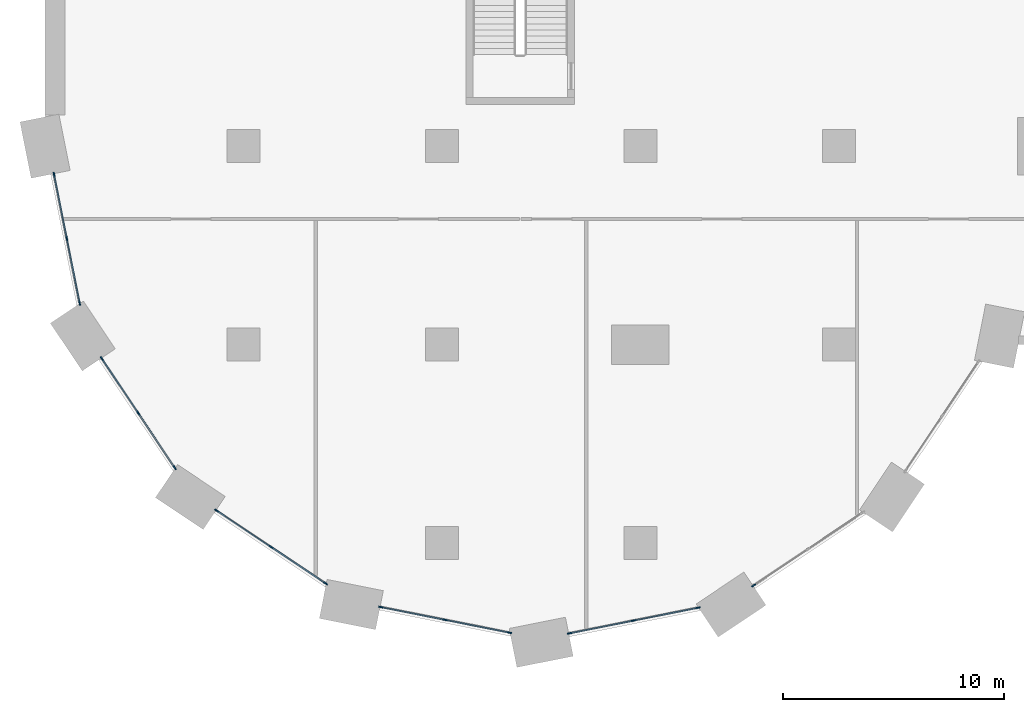
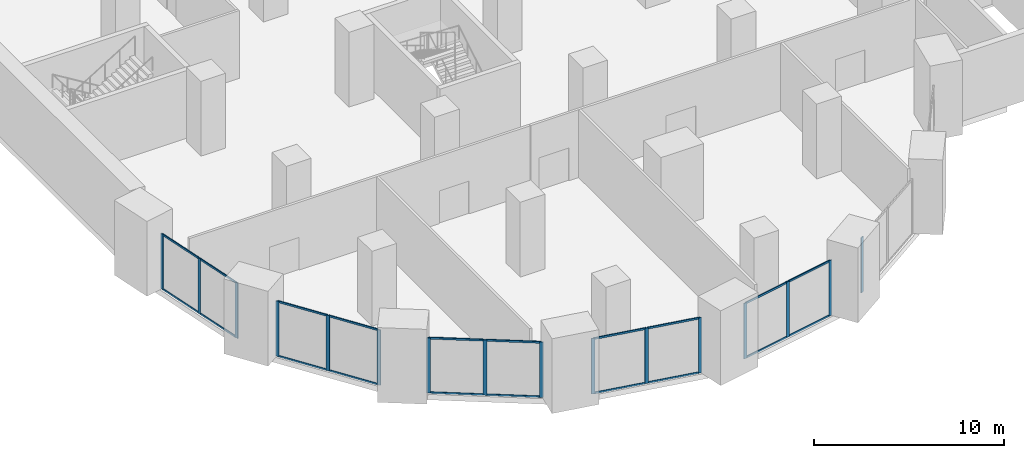
# One storey, part 2 of 32: 36 members, 6 elements without a shape of their own.
"""IFC4 building model written with IfcOpenShell, lengths in metres."""

import ifcopenshell
import ifcopenshell.guid

model = None  # the IFC model being written
_history = None  # IfcOwnerHistory: only IFC2X3 demands one
_inside = {}  # id of a spatial element -> (the spatial element, [elements in it])
_under = {}  # id of a project, library or spatial element -> (it, [spatial elements below it])
_declared = {}  # id of a project -> (the project, [libraries it declares])
_typed = {}  # id of a type object -> (the type object, [elements of that type])
_made_of = {}  # id of a material, layer set ... -> (it, [elements and type objects made of it])


def new_model(schema):
    """Start an empty IFC model of exactly this schema.

    Asked for "IFC4X3", IfcOpenShell would pick the latest addendum, in which some entities
    have other attributes; the version numbers below select the first issue.
    IFC2X3 requires an IfcOwnerHistory on every rooted entity: one is made here for all.
    """
    global model, _history
    if schema == "IFC4X3":
        model = ifcopenshell.file(schema_version=(4, 3, 0, 0))
    else:
        model = ifcopenshell.file(schema=schema)
    _inside.clear()
    _under.clear()
    _declared.clear()
    _typed.clear()
    _made_of.clear()
    _history = None
    if model.schema == "IFC2X3":
        org = make("IfcOrganization", Name="unknown")
        user = make(
            "IfcPersonAndOrganization",
            ThePerson=make("IfcPerson", FamilyName="unknown"),
            TheOrganization=org,
        )
        app = make(
            "IfcApplication",
            ApplicationDeveloper=org,
            Version="unknown",
            ApplicationFullName="unknown",
            ApplicationIdentifier="unknown",
        )
        _history = make(
            "IfcOwnerHistory",
            OwningUser=user,
            OwningApplication=app,
            ChangeAction="ADDED",
            CreationDate=0,
        )
    return model


def make(cls, **values):
    """One entity of the class cls with the attributes given. An attribute that is None is left unset."""
    return model.create_entity(
        cls, **{name: value for name, value in values.items() if value is not None}
    )


def rooted(cls, **values):
    """An entity with a GlobalId (a new one), such as an element, a storey or a relation."""
    return make(cls, GlobalId=ifcopenshell.guid.new(), OwnerHistory=_history, **values)


def si_unit(unit_type, name, prefix=None):
    """IfcSIUnit, for example si_unit("LENGTHUNIT", "METRE", prefix="MILLI")."""
    return make("IfcSIUnit", UnitType=unit_type, Prefix=prefix, Name=name)


def assignment(units):
    """IfcUnitAssignment: the units of a project."""
    return None if units is None else make("IfcUnitAssignment", Units=units)


def point(xyz):
    """IfcCartesianPoint."""
    return None if xyz is None else make("IfcCartesianPoint", Coordinates=xyz)


def direction(xyz):
    """IfcDirection."""
    return None if xyz is None else make("IfcDirection", DirectionRatios=xyz)


def frame(location, z_axis=None, x_axis=None):
    """IfcAxis2Placement3D, a coordinate frame: its origin and axes. An axis left out is left unset."""
    return make(
        "IfcAxis2Placement3D",
        Location=point(location),
        Axis=direction(z_axis),
        RefDirection=direction(x_axis),
    )


def frame_2d(location, x_axis=None):
    """IfcAxis2Placement2D, a coordinate frame in the plane: its origin and x axis."""
    return make(
        "IfcAxis2Placement2D", Location=point(location), RefDirection=direction(x_axis)
    )


def origin():
    """The frame at (0, 0, 0) with its axes left unset."""
    return frame((0.0, 0.0, 0.0))


def origin_2d():
    """The frame at (0, 0) in the plane with its x axis left unset."""
    return frame_2d((0.0, 0.0))


def place(relative_to, where):
    """IfcLocalPlacement: puts the frame where relative to a parent placement (None: the world)."""
    return make(
        "IfcLocalPlacement", PlacementRelTo=relative_to, RelativePlacement=where
    )


def context(
    kind, dimensions, precision=None, world=None, true_north=None, identifier=None
):
    """IfcGeometricRepresentationContext, for example the 3D "Model" context."""
    return make(
        "IfcGeometricRepresentationContext",
        ContextIdentifier=identifier,
        ContextType=kind,
        CoordinateSpaceDimension=dimensions,
        Precision=precision,
        WorldCoordinateSystem=world,
        TrueNorth=true_north,
    )


def subcontext(parent, identifier, kind, view, scale=None):
    """IfcGeometricRepresentationSubContext, for example "Body" below "Model"."""
    return make(
        "IfcGeometricRepresentationSubContext",
        ContextIdentifier=identifier,
        ContextType=kind,
        ParentContext=parent,
        TargetScale=scale,
        TargetView=view,
    )


def project(units=None, contexts=None):
    """IfcProject with its units and contexts."""
    return rooted(
        "IfcProject",
        Name="project",
        RepresentationContexts=contexts,
        UnitsInContext=assignment(units),
    )


def spatial(cls, under=None, at=None, **own):
    """A site, building, storey or space (cls), placed at a placement, below another one or the project."""
    s = rooted(cls, ObjectPlacement=at, **own)
    if under is not None:
        _under.setdefault(under.id(), (under, []))[1].append(s)
    return s


def profile(cls, at=None, kind="AREA", **sizes):
    """A parametric profile (cls). Its sizes go by their IFC names, for example OverallWidth=200.0."""
    return make(cls, ProfileType=kind, Position=at, **sizes)


def rectangle(**sizes):
    """IfcRectangleProfileDef."""
    return profile("IfcRectangleProfileDef", **sizes)


def extrude(swept, where, along, depth):
    """IfcExtrudedAreaSolid: the profile swept, set in the frame where, extruded along a direction by depth."""
    return make(
        "IfcExtrudedAreaSolid",
        SweptArea=swept,
        Position=where,
        ExtrudedDirection=direction(along),
        Depth=depth,
    )


def shape(context_of_items, identifier, shape_type, items):
    """IfcShapeRepresentation: the items that make up one representation, for example the "Body"."""
    return make(
        "IfcShapeRepresentation",
        ContextOfItems=context_of_items,
        RepresentationIdentifier=identifier,
        RepresentationType=shape_type,
        Items=items,
    )


def material(Name=None, Category=None):
    """IfcMaterial."""
    return make("IfcMaterial", Name=Name, Category=Category)


def material_profile(
    of_material, cross_section, Name=None, Category=None, Priority=None
):
    """IfcMaterialProfile: a cross section and its material."""
    return make(
        "IfcMaterialProfile",
        Name=Name,
        Material=of_material,
        Profile=cross_section,
        Priority=Priority,
        Category=Category,
    )


def profile_set(profiles, Name=None, composite=None):
    """IfcMaterialProfileSet."""
    return make(
        "IfcMaterialProfileSet",
        Name=Name,
        MaterialProfiles=profiles,
        CompositeProfile=composite,
    )


def made_of(thing, what):
    """Note that an element or type object is made of a material, layer set ...; save() writes the relation."""
    if what is not None:
        _made_of.setdefault(what.id(), (what, []))[1].append(thing)
    return thing


def type_object(cls, material=None, **own):
    """A type object (cls), such as IfcWallType, which elements share."""
    return made_of(rooted(cls, **own), material)


def element(
    cls,
    number,
    at=None,
    inside=None,
    cuts=None,
    type_object=None,
    material=None,
    context=None,
    identifier="Body",
    shape_type=None,
    held_by="IfcProductDefinitionShape",
    body=None,
    shapes=None,
    **own,
):
    """One element of the class cls, such as IfcWall. Its Tag is "e" and its number.

    at: its placement. inside: the storey or other place that contains it. cuts: it is an
    opening in that element (IfcRelVoidsElement). A single representation is given by context,
    identifier, shape_type and body (its items); several are given by shapes. held_by: the class
    of the entity that holds the representations. save() writes the other relations.
    """
    e = rooted(cls, Tag="e%d" % number, ObjectPlacement=at, **own)
    if body is not None:
        shapes = [shape(context, identifier, shape_type, body)]
    if shapes is not None:
        e.Representation = make(held_by, Representations=shapes)
    if inside is not None:
        _inside.setdefault(inside.id(), (inside, []))[1].append(e)
    if cuts is not None:
        rooted(
            "IfcRelVoidsElement", RelatingBuildingElement=cuts, RelatedOpeningElement=e
        )
    if type_object is not None:
        _typed.setdefault(type_object.id(), (type_object, []))[1].append(e)
    return made_of(e, material)


def aggregate(whole, parts):
    """IfcRelAggregates: a whole, such as a stair, and the parts it consists of."""
    return rooted("IfcRelAggregates", RelatingObject=whole, RelatedObjects=parts)


def save(model, path):
    """Write the relations noted so far, then the file.

    IfcRelAggregates (storeys below a building ...), IfcRelContainedInSpatialStructure (elements
    in a storey), IfcRelDefinesByType, IfcRelAssociatesMaterial and IfcRelDeclares: one each for
    every whole, place, type object, material and project.
    """
    for whole, parts in _under.values():
        aggregate(whole, parts)
    for where, things in _inside.values():
        rooted(
            "IfcRelContainedInSpatialStructure",
            RelatedElements=things,
            RelatingStructure=where,
        )
    for kind, things in _typed.values():
        rooted("IfcRelDefinesByType", RelatedObjects=things, RelatingType=kind)
    for what, things in _made_of.values():
        rooted("IfcRelAssociatesMaterial", RelatedObjects=things, RelatingMaterial=what)
    for by, libraries in _declared.values():
        rooted("IfcRelDeclares", RelatingContext=by, RelatedDefinitions=libraries)
    model.write(path)


model = new_model("IFC4")

# Units and contexts
model_context = context("Model", 3, precision=1e-05, world=origin(), true_north=direction((0.0, 1.0)))
body_context = subcontext(model_context, "Body", "Model", "MODEL_VIEW")
ifc_project = project(units=[si_unit("LENGTHUNIT", "METRE"), si_unit("AREAUNIT", "SQUARE_METRE"), si_unit("VOLUMEUNIT", "CUBIC_METRE"), si_unit("PLANEANGLEUNIT", "RADIAN"), si_unit("MASSUNIT", "GRAM", prefix="KILO")], contexts=[model_context])

# Site, building, storey
site_placement = place(None, origin())
site = spatial("IfcSite", under=ifc_project, at=site_placement, CompositionType="ELEMENT")
building_placement = place(site_placement, origin())
building = spatial("IfcBuilding", under=site, at=building_placement, Name="Hunhe Ridgeline Campus", CompositionType="ELEMENT")
storey_placement = place(building_placement, frame((0.0, 0.0, 26.39990234375)))
storey = spatial("IfcBuildingStorey", under=building, at=storey_placement, Name="L05", CompositionType="ELEMENT", Elevation=26.39990234375)

# Curtain wall, members
ifc_material_1 = material(Name="Aluminium and glass", Category="aluminium")
curtain_wall_type = type_object("IfcCurtainWallType", Name="Podium curtain wall CW-2", PredefinedType="NOTDEFINED", material=ifc_material_1)
curtain_wall_1_placement = place(storey_placement, origin())
curtain_wall_1 = element("IfcCurtainWall", 1, at=curtain_wall_1_placement, inside=storey, type_object=curtain_wall_type, Name="L05 podium curtain wall 9", PredefinedType="NOTDEFINED")
ifc_material_2 = material(Name="Aluminium", Category="aluminium")
ifc_material_profile_1 = material_profile(ifc_material_2, rectangle(XDim=0.06005859375, YDim=0.199951171875, at=origin_2d()))
ifc_profile_set_1 = profile_set([ifc_material_profile_1], Name="Aluminium")
member_type_1 = type_object("IfcMemberType", Name="CW-2 mullion 60x200", PredefinedType="MULLION", material=ifc_profile_set_1)
member_1_placement = place(storey_placement, frame((0.406494140625, 25.724853515625, 0.0), z_axis=(0.0, 0.0, 1.0), x_axis=(0.98078366193, 0.195098458454, 0.0)))
member_1 = element("IfcMember", 2, at=member_1_placement, type_object=member_type_1, Name="CW2 mullion 1", PredefinedType="MULLION", context=body_context, shape_type="SweptSolid", body=[
    extrude(rectangle(XDim=0.06005859375, YDim=0.199951171875, at=origin_2d()), origin(), (0.0, 0.0, 1.0), 3.550048828125),
])
member_2_placement = place(storey_placement, frame((0.987060546875, 22.80712890625, 0.0), z_axis=(0.0, 0.0, 1.0), x_axis=(0.98078366193, 0.195098458454, 0.0)))
member_2 = element("IfcMember", 3, at=member_2_placement, type_object=member_type_1, Name="CW2 mullion 2", PredefinedType="MULLION", context=body_context, shape_type="SweptSolid", body=[
    extrude(rectangle(XDim=0.06005859375, YDim=0.199951171875, at=origin_2d()), origin(), (0.0, 0.0, 1.0), 3.550048828125),
])
member_3_placement = place(storey_placement, frame((1.5673828125, 19.889404296875, 0.0), z_axis=(0.0, 0.0, 1.0), x_axis=(0.98078366193, 0.195098458454, 0.0)))
member_3 = element("IfcMember", 4, at=member_3_placement, type_object=member_type_1, Name="CW2 mullion 3", PredefinedType="MULLION", context=body_context, shape_type="SweptSolid", body=[
    extrude(rectangle(XDim=0.06005859375, YDim=0.199951171875, at=origin_2d()), origin(), (0.0, 0.0, 1.0), 3.550048828125),
])

curtain_wall_2_placement = place(storey_placement, origin())
curtain_wall_2 = element("IfcCurtainWall", 5, at=curtain_wall_2_placement, inside=storey, type_object=curtain_wall_type, Name="L05 podium curtain wall 10", PredefinedType="NOTDEFINED")
member_4_placement = place(storey_placement, frame((2.576416015625, 17.366943359375, 0.0), z_axis=(0.0, 0.0, 1.0), x_axis=(0.831463604177, 0.555579224709, 0.0)))
member_4 = element("IfcMember", 6, at=member_4_placement, type_object=member_type_1, Name="CW2 mullion 1", PredefinedType="MULLION", context=body_context, shape_type="SweptSolid", body=[
    extrude(rectangle(XDim=0.06005859375, YDim=0.199951171875, at=origin_2d()), origin(), (0.0, 0.0, 1.0), 3.550048828125),
])
member_5_placement = place(storey_placement, frame((4.229248046875, 14.8935546875, 0.0), z_axis=(0.0, 0.0, 1.0), x_axis=(0.831463604177, 0.555579224709, 0.0)))
member_5 = element("IfcMember", 7, at=member_5_placement, type_object=member_type_1, Name="CW2 mullion 2", PredefinedType="MULLION", context=body_context, shape_type="SweptSolid", body=[
    extrude(rectangle(XDim=0.06005859375, YDim=0.199951171875, at=origin_2d()), origin(), (0.0, 0.0, 1.0), 3.550048828125),
])
member_6_placement = place(storey_placement, frame((5.8818359375, 12.419921875, 0.0), z_axis=(0.0, 0.0, 1.0), x_axis=(0.831463604177, 0.555579224709, 0.0)))
member_6 = element("IfcMember", 8, at=member_6_placement, type_object=member_type_1, Name="CW2 mullion 3", PredefinedType="MULLION", context=body_context, shape_type="SweptSolid", body=[
    extrude(rectangle(XDim=0.06005859375, YDim=0.199951171875, at=origin_2d()), origin(), (0.0, 0.0, 1.0), 3.550048828125),
])

curtain_wall_3_placement = place(storey_placement, origin())
curtain_wall_3 = element("IfcCurtainWall", 9, at=curtain_wall_3_placement, inside=storey, type_object=curtain_wall_type, Name="L05 podium curtain wall 11", PredefinedType="NOTDEFINED")
member_7_placement = place(storey_placement, frame((7.779296875, 10.475830078125, 0.0), z_axis=(0.0, 0.0, 1.0), x_axis=(0.555571538247, 0.831468740176, 0.0)))
member_7 = element("IfcMember", 10, at=member_7_placement, type_object=member_type_1, Name="CW2 mullion 1", PredefinedType="MULLION", context=body_context, shape_type="SweptSolid", body=[
    extrude(rectangle(XDim=0.06005859375, YDim=0.199951171875, at=origin_2d()), origin(), (0.0, 0.0, 1.0), 3.550048828125),
])
member_8_placement = place(storey_placement, frame((10.252685546875, 8.8232421875, 0.0), z_axis=(0.0, 0.0, 1.0), x_axis=(0.555571538247, 0.831468740176, 0.0)))
member_8 = element("IfcMember", 11, at=member_8_placement, type_object=member_type_1, Name="CW2 mullion 2", PredefinedType="MULLION", context=body_context, shape_type="SweptSolid", body=[
    extrude(rectangle(XDim=0.06005859375, YDim=0.199951171875, at=origin_2d()), origin(), (0.0, 0.0, 1.0), 3.550048828125),
])
member_9_placement = place(storey_placement, frame((12.726318359375, 7.17041015625, 0.0), z_axis=(0.0, 0.0, 1.0), x_axis=(0.555571538247, 0.831468740176, 0.0)))
member_9 = element("IfcMember", 12, at=member_9_placement, type_object=member_type_1, Name="CW2 mullion 3", PredefinedType="MULLION", context=body_context, shape_type="SweptSolid", body=[
    extrude(rectangle(XDim=0.06005859375, YDim=0.199951171875, at=origin_2d()), origin(), (0.0, 0.0, 1.0), 3.550048828125),
])

curtain_wall_4_placement = place(storey_placement, origin())
curtain_wall_4 = element("IfcCurtainWall", 13, at=curtain_wall_4_placement, inside=storey, type_object=curtain_wall_type, Name="L05 podium curtain wall 12", PredefinedType="NOTDEFINED")
member_10_placement = place(storey_placement, frame((15.223388671875, 6.100341796875, 0.0), z_axis=(0.0, 0.0, 1.0), x_axis=(0.195079268527, 0.980787479014, 0.0)))
member_10 = element("IfcMember", 14, at=member_10_placement, type_object=member_type_1, Name="CW2 mullion 1", PredefinedType="MULLION", context=body_context, shape_type="SweptSolid", body=[
    extrude(rectangle(XDim=0.06005859375, YDim=0.199951171875, at=origin_2d()), origin(), (0.0, 0.0, 1.0), 3.550048828125),
])
member_11_placement = place(storey_placement, frame((18.14111328125, 5.52001953125, 0.0), z_axis=(0.0, 0.0, 1.0), x_axis=(0.195079268527, 0.980787479014, 0.0)))
member_11 = element("IfcMember", 15, at=member_11_placement, type_object=member_type_1, Name="CW2 mullion 2", PredefinedType="MULLION", context=body_context, shape_type="SweptSolid", body=[
    extrude(rectangle(XDim=0.06005859375, YDim=0.199951171875, at=origin_2d()), origin(), (0.0, 0.0, 1.0), 3.550048828125),
])
member_12_placement = place(storey_placement, frame((21.058837890625, 4.939697265625, 0.0), z_axis=(0.0, 0.0, 1.0), x_axis=(0.195079268527, 0.980787479014, 0.0)))
member_12 = element("IfcMember", 16, at=member_12_placement, type_object=member_type_1, Name="CW2 mullion 3", PredefinedType="MULLION", context=body_context, shape_type="SweptSolid", body=[
    extrude(rectangle(XDim=0.06005859375, YDim=0.199951171875, at=origin_2d()), origin(), (0.0, 0.0, 1.0), 3.550048828125),
])

curtain_wall_5_placement = place(storey_placement, origin())
curtain_wall_5 = element("IfcCurtainWall", 17, at=curtain_wall_5_placement, inside=storey, type_object=curtain_wall_type, Name="L05 podium curtain wall 13", PredefinedType="NOTDEFINED")
member_13_placement = place(storey_placement, frame((23.775146484375, 4.906494140625, 0.0), z_axis=(0.0, 0.0, 1.0), x_axis=(-0.195098458454, 0.98078366193, 0.0)))
member_13 = element("IfcMember", 18, at=member_13_placement, type_object=member_type_1, Name="CW2 mullion 1", PredefinedType="MULLION", context=body_context, shape_type="SweptSolid", body=[
    extrude(rectangle(XDim=0.06005859375, YDim=0.199951171875, at=origin_2d()), origin(), (0.0, 0.0, 1.0), 3.550048828125),
])
member_14_placement = place(storey_placement, frame((26.69287109375, 5.487060546875, 0.0), z_axis=(0.0, 0.0, 1.0), x_axis=(-0.195098458454, 0.98078366193, 0.0)))
member_14 = element("IfcMember", 19, at=member_14_placement, type_object=member_type_1, Name="CW2 mullion 2", PredefinedType="MULLION", context=body_context, shape_type="SweptSolid", body=[
    extrude(rectangle(XDim=0.06005859375, YDim=0.199951171875, at=origin_2d()), origin(), (0.0, 0.0, 1.0), 3.550048828125),
])
member_15_placement = place(storey_placement, frame((29.610595703125, 6.0673828125, 0.0), z_axis=(0.0, 0.0, 1.0), x_axis=(-0.195098458454, 0.98078366193, 0.0)))
member_15 = element("IfcMember", 20, at=member_15_placement, type_object=member_type_1, Name="CW2 mullion 3", PredefinedType="MULLION", context=body_context, shape_type="SweptSolid", body=[
    extrude(rectangle(XDim=0.06005859375, YDim=0.199951171875, at=origin_2d()), origin(), (0.0, 0.0, 1.0), 3.550048828125),
])

# Curtain wall, member
curtain_wall_6_placement = place(storey_placement, origin())
curtain_wall_6 = element("IfcCurtainWall", 21, at=curtain_wall_6_placement, inside=storey, type_object=curtain_wall_type, Name="L05 podium curtain wall 14", PredefinedType="NOTDEFINED")
member_16_placement = place(storey_placement, frame((32.133056640625, 7.076416015625, 0.0), z_axis=(0.0, 0.0, 1.0), x_axis=(-0.555579224709, 0.831463604177, 0.0)))
member_16 = element("IfcMember", 22, at=member_16_placement, type_object=member_type_1, Name="CW2 mullion 1", PredefinedType="MULLION", context=body_context, shape_type="SweptSolid", body=[
    extrude(rectangle(XDim=0.06005859375, YDim=0.199951171875, at=origin_2d()), origin(), (0.0, 0.0, 1.0), 3.550048828125),
])
aggregate(curtain_wall_6, [member_16])

# Member
ifc_material_profile_2 = material_profile(ifc_material_2, rectangle(XDim=0.06005859375, YDim=0.1201171875, at=origin_2d()))
ifc_profile_set_2 = profile_set([ifc_material_profile_2], Name="Aluminium")
member_type_2 = type_object("IfcMemberType", Name="CW-2 transom 60x120", PredefinedType="USERDEFINED", material=ifc_profile_set_2)
member_17_placement = place(storey_placement, frame((0.412353515625, 25.6953125, 0.030029296875), z_axis=(0.195149633653, -0.980773480721, 0.0), x_axis=(0.980773480721, 0.195149633653, 0.0)))
member_17 = element("IfcMember", 23, at=member_17_placement, type_object=member_type_2, Name="CW2 transom 1.1", ObjectType="TRANSOM", PredefinedType="USERDEFINED", context=body_context, shape_type="SweptSolid", body=[
    extrude(rectangle(XDim=0.06005859375, YDim=0.1201171875, at=origin_2d()), origin(), (0.0, 0.0, 1.0), 2.9150390625),
])

member_18_placement = place(storey_placement, frame((0.412353515625, 25.6953125, 3.52001953125), z_axis=(0.195149633653, -0.980773480721, 0.0), x_axis=(0.980773480721, 0.195149633653, 0.0)))
member_18 = element("IfcMember", 24, at=member_18_placement, type_object=member_type_2, Name="CW2 transom 1.2", ObjectType="TRANSOM", PredefinedType="USERDEFINED", context=body_context, shape_type="SweptSolid", body=[
    extrude(rectangle(XDim=0.06005859375, YDim=0.1201171875, at=origin_2d()), origin(), (0.0, 0.0, 1.0), 2.9150390625),
])

member_19_placement = place(storey_placement, frame((0.992919921875, 22.777587890625, 0.030029296875), z_axis=(0.195069066152, -0.980789508218, 0.0), x_axis=(0.980789508218, 0.195069066152, 0.0)))
member_19 = element("IfcMember", 25, at=member_19_placement, type_object=member_type_2, Name="CW2 transom 2.1", ObjectType="TRANSOM", PredefinedType="USERDEFINED", context=body_context, shape_type="SweptSolid", body=[
    extrude(rectangle(XDim=0.06005859375, YDim=0.1201171875, at=origin_2d()), origin(), (0.0, 0.0, 1.0), 2.914794921875),
])

member_20_placement = place(storey_placement, frame((0.992919921875, 22.777587890625, 3.52001953125), z_axis=(0.195069066152, -0.980789508218, 0.0), x_axis=(0.980789508218, 0.195069066152, 0.0)))
member_20 = element("IfcMember", 26, at=member_20_placement, type_object=member_type_2, Name="CW2 transom 2.2", ObjectType="TRANSOM", PredefinedType="USERDEFINED", context=body_context, shape_type="SweptSolid", body=[
    extrude(rectangle(XDim=0.06005859375, YDim=0.1201171875, at=origin_2d()), origin(), (0.0, 0.0, 1.0), 2.914794921875),
])

aggregate(curtain_wall_1, [member_1, member_2, member_3, member_17, member_18, member_19, member_20])

member_21_placement = place(storey_placement, frame((2.593017578125, 17.342041015625, 0.030029296875), z_axis=(0.55556969226, -0.831469973626, 0.0), x_axis=(0.831469973626, 0.55556969226, 0.0)))
member_21 = element("IfcMember", 27, at=member_21_placement, type_object=member_type_2, Name="CW2 transom 1.1", ObjectType="TRANSOM", PredefinedType="USERDEFINED", context=body_context, shape_type="SweptSolid", body=[
    extrude(rectangle(XDim=0.06005859375, YDim=0.1201171875, at=origin_2d()), origin(), (0.0, 0.0, 1.0), 2.914794921875),
])

member_22_placement = place(storey_placement, frame((2.593017578125, 17.342041015625, 3.52001953125), z_axis=(0.55556969226, -0.831469973626, 0.0), x_axis=(0.831469973626, 0.55556969226, 0.0)))
member_22 = element("IfcMember", 28, at=member_22_placement, type_object=member_type_2, Name="CW2 transom 1.2", ObjectType="TRANSOM", PredefinedType="USERDEFINED", context=body_context, shape_type="SweptSolid", body=[
    extrude(rectangle(XDim=0.06005859375, YDim=0.1201171875, at=origin_2d()), origin(), (0.0, 0.0, 1.0), 2.914794921875),
])

member_23_placement = place(storey_placement, frame((4.245849609375, 14.86865234375, 0.030029296875), z_axis=(0.55556969226, -0.831469973626, 0.0), x_axis=(0.831469973626, 0.55556969226, 0.0)))
member_23 = element("IfcMember", 29, at=member_23_placement, type_object=member_type_2, Name="CW2 transom 2.1", ObjectType="TRANSOM", PredefinedType="USERDEFINED", context=body_context, shape_type="SweptSolid", body=[
    extrude(rectangle(XDim=0.06005859375, YDim=0.1201171875, at=origin_2d()), origin(), (0.0, 0.0, 1.0), 2.914794921875),
])

member_24_placement = place(storey_placement, frame((4.245849609375, 14.86865234375, 3.52001953125), z_axis=(0.55556969226, -0.831469973626, 0.0), x_axis=(0.831469973626, 0.55556969226, 0.0)))
member_24 = element("IfcMember", 30, at=member_24_placement, type_object=member_type_2, Name="CW2 transom 2.2", ObjectType="TRANSOM", PredefinedType="USERDEFINED", context=body_context, shape_type="SweptSolid", body=[
    extrude(rectangle(XDim=0.06005859375, YDim=0.1201171875, at=origin_2d()), origin(), (0.0, 0.0, 1.0), 2.914794921875),
])

aggregate(curtain_wall_2, [member_4, member_5, member_6, member_21, member_22, member_23, member_24])

member_25_placement = place(storey_placement, frame((7.80419921875, 10.459228515625, 0.030029296875), z_axis=(0.831469973626, -0.55556969226, 0.0), x_axis=(0.55556969226, 0.831469973626, 0.0)))
member_25 = element("IfcMember", 31, at=member_25_placement, type_object=member_type_2, Name="CW2 transom 1.1", ObjectType="TRANSOM", PredefinedType="USERDEFINED", context=body_context, shape_type="SweptSolid", body=[
    extrude(rectangle(XDim=0.06005859375, YDim=0.1201171875, at=origin_2d()), origin(), (0.0, 0.0, 1.0), 2.914794921875),
])

member_26_placement = place(storey_placement, frame((7.80419921875, 10.459228515625, 3.52001953125), z_axis=(0.831469973626, -0.55556969226, 0.0), x_axis=(0.55556969226, 0.831469973626, 0.0)))
member_26 = element("IfcMember", 32, at=member_26_placement, type_object=member_type_2, Name="CW2 transom 1.2", ObjectType="TRANSOM", PredefinedType="USERDEFINED", context=body_context, shape_type="SweptSolid", body=[
    extrude(rectangle(XDim=0.06005859375, YDim=0.1201171875, at=origin_2d()), origin(), (0.0, 0.0, 1.0), 2.914794921875),
])

member_27_placement = place(storey_placement, frame((10.27783203125, 8.806396484375, 0.030029296875), z_axis=(0.831469973626, -0.55556969226, 0.0), x_axis=(0.55556969226, 0.831469973626, 0.0)))
member_27 = element("IfcMember", 33, at=member_27_placement, type_object=member_type_2, Name="CW2 transom 2.1", ObjectType="TRANSOM", PredefinedType="USERDEFINED", context=body_context, shape_type="SweptSolid", body=[
    extrude(rectangle(XDim=0.06005859375, YDim=0.1201171875, at=origin_2d()), origin(), (0.0, 0.0, 1.0), 2.914794921875),
])

member_28_placement = place(storey_placement, frame((10.27783203125, 8.806396484375, 3.52001953125), z_axis=(0.831469973626, -0.55556969226, 0.0), x_axis=(0.55556969226, 0.831469973626, 0.0)))
member_28 = element("IfcMember", 34, at=member_28_placement, type_object=member_type_2, Name="CW2 transom 2.2", ObjectType="TRANSOM", PredefinedType="USERDEFINED", context=body_context, shape_type="SweptSolid", body=[
    extrude(rectangle(XDim=0.06005859375, YDim=0.1201171875, at=origin_2d()), origin(), (0.0, 0.0, 1.0), 2.914794921875),
])

aggregate(curtain_wall_3, [member_7, member_8, member_9, member_25, member_26, member_27, member_28])

member_29_placement = place(storey_placement, frame((15.252685546875, 6.094482421875, 0.030029296875), z_axis=(0.980789508218, -0.195069066152, 0.0), x_axis=(0.195069066152, 0.980789508218, 0.0)))
member_29 = element("IfcMember", 35, at=member_29_placement, type_object=member_type_2, Name="CW2 transom 1.1", ObjectType="TRANSOM", PredefinedType="USERDEFINED", context=body_context, shape_type="SweptSolid", body=[
    extrude(rectangle(XDim=0.06005859375, YDim=0.1201171875, at=origin_2d()), origin(), (0.0, 0.0, 1.0), 2.914794921875),
])

member_30_placement = place(storey_placement, frame((15.252685546875, 6.094482421875, 3.52001953125), z_axis=(0.980789508218, -0.195069066152, 0.0), x_axis=(0.195069066152, 0.980789508218, 0.0)))
member_30 = element("IfcMember", 36, at=member_30_placement, type_object=member_type_2, Name="CW2 transom 1.2", ObjectType="TRANSOM", PredefinedType="USERDEFINED", context=body_context, shape_type="SweptSolid", body=[
    extrude(rectangle(XDim=0.06005859375, YDim=0.1201171875, at=origin_2d()), origin(), (0.0, 0.0, 1.0), 2.914794921875),
])

member_31_placement = place(storey_placement, frame((18.17041015625, 5.51416015625, 0.030029296875), z_axis=(0.980792694926, -0.195053042992, 0.0), x_axis=(0.195053042992, 0.980792694926, 0.0)))
member_31 = element("IfcMember", 37, at=member_31_placement, type_object=member_type_2, Name="CW2 transom 2.1", ObjectType="TRANSOM", PredefinedType="USERDEFINED", context=body_context, shape_type="SweptSolid", body=[
    extrude(rectangle(XDim=0.06005859375, YDim=0.1201171875, at=origin_2d()), origin(), (0.0, 0.0, 1.0), 2.9150390625),
])

member_32_placement = place(storey_placement, frame((18.17041015625, 5.51416015625, 3.52001953125), z_axis=(0.980792694926, -0.195053042992, 0.0), x_axis=(0.195053042992, 0.980792694926, 0.0)))
member_32 = element("IfcMember", 38, at=member_32_placement, type_object=member_type_2, Name="CW2 transom 2.2", ObjectType="TRANSOM", PredefinedType="USERDEFINED", context=body_context, shape_type="SweptSolid", body=[
    extrude(rectangle(XDim=0.06005859375, YDim=0.1201171875, at=origin_2d()), origin(), (0.0, 0.0, 1.0), 2.9150390625),
])

aggregate(curtain_wall_4, [member_10, member_11, member_12, member_29, member_30, member_31, member_32])

member_33_placement = place(storey_placement, frame((23.8046875, 4.912353515625, 0.030029296875), z_axis=(0.980773480721, 0.195149633653, 0.0), x_axis=(-0.195149633653, 0.980773480721, 0.0)))
member_33 = element("IfcMember", 39, at=member_33_placement, type_object=member_type_2, Name="CW2 transom 1.1", ObjectType="TRANSOM", PredefinedType="USERDEFINED", context=body_context, shape_type="SweptSolid", body=[
    extrude(rectangle(XDim=0.06005859375, YDim=0.1201171875, at=origin_2d()), origin(), (0.0, 0.0, 1.0), 2.9150390625),
])

member_34_placement = place(storey_placement, frame((23.8046875, 4.912353515625, 3.52001953125), z_axis=(0.980773480721, 0.195149633653, 0.0), x_axis=(-0.195149633653, 0.980773480721, 0.0)))
member_34 = element("IfcMember", 40, at=member_34_placement, type_object=member_type_2, Name="CW2 transom 1.2", ObjectType="TRANSOM", PredefinedType="USERDEFINED", context=body_context, shape_type="SweptSolid", body=[
    extrude(rectangle(XDim=0.06005859375, YDim=0.1201171875, at=origin_2d()), origin(), (0.0, 0.0, 1.0), 2.9150390625),
])

member_35_placement = place(storey_placement, frame((26.722412109375, 5.492919921875, 0.030029296875), z_axis=(0.980789508218, 0.195069066152, 0.0), x_axis=(-0.195069066152, 0.980789508218, 0.0)))
member_35 = element("IfcMember", 41, at=member_35_placement, type_object=member_type_2, Name="CW2 transom 2.1", ObjectType="TRANSOM", PredefinedType="USERDEFINED", context=body_context, shape_type="SweptSolid", body=[
    extrude(rectangle(XDim=0.06005859375, YDim=0.1201171875, at=origin_2d()), origin(), (0.0, 0.0, 1.0), 2.914794921875),
])

member_36_placement = place(storey_placement, frame((26.722412109375, 5.492919921875, 3.52001953125), z_axis=(0.980789508218, 0.195069066152, 0.0), x_axis=(-0.195069066152, 0.980789508218, 0.0)))
member_36 = element("IfcMember", 42, at=member_36_placement, type_object=member_type_2, Name="CW2 transom 2.2", ObjectType="TRANSOM", PredefinedType="USERDEFINED", context=body_context, shape_type="SweptSolid", body=[
    extrude(rectangle(XDim=0.06005859375, YDim=0.1201171875, at=origin_2d()), origin(), (0.0, 0.0, 1.0), 2.914794921875),
])

aggregate(curtain_wall_5, [member_13, member_14, member_15, member_33, member_34, member_35, member_36])

save(model, "model.ifc")
